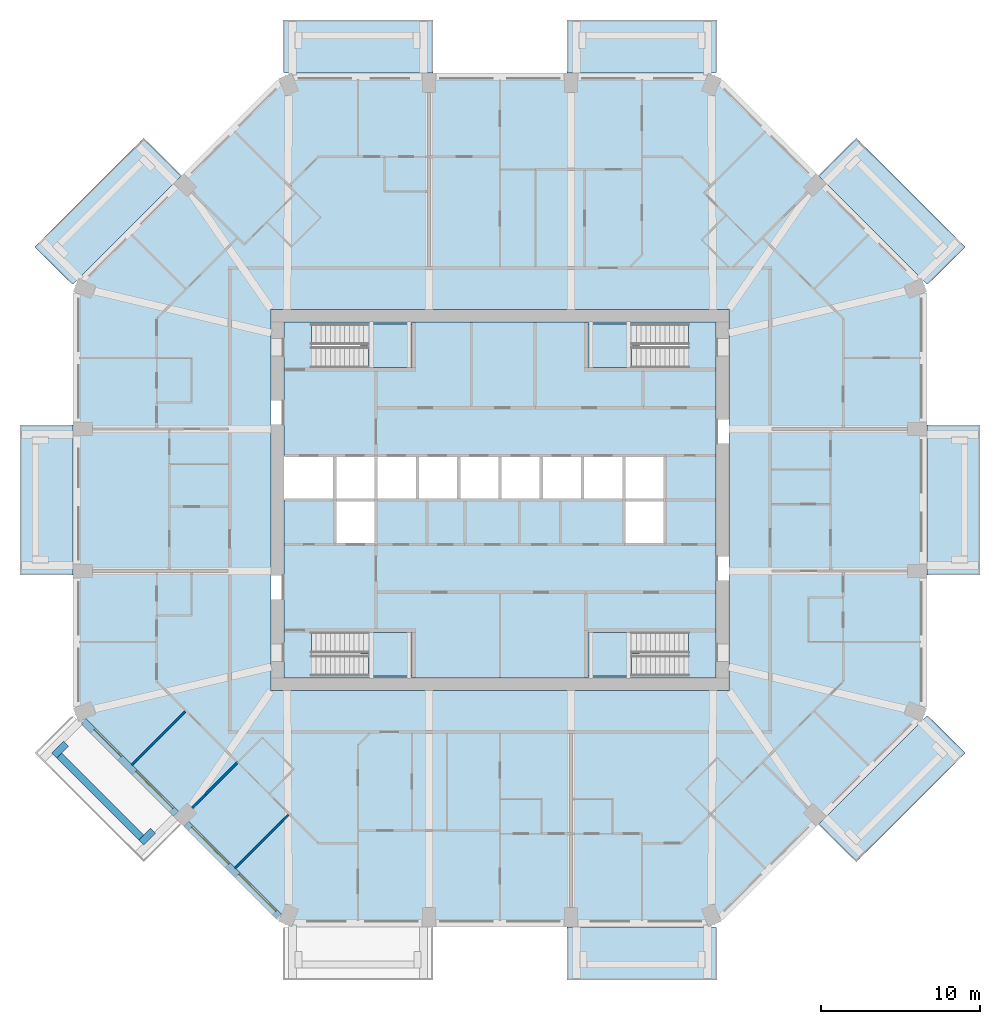
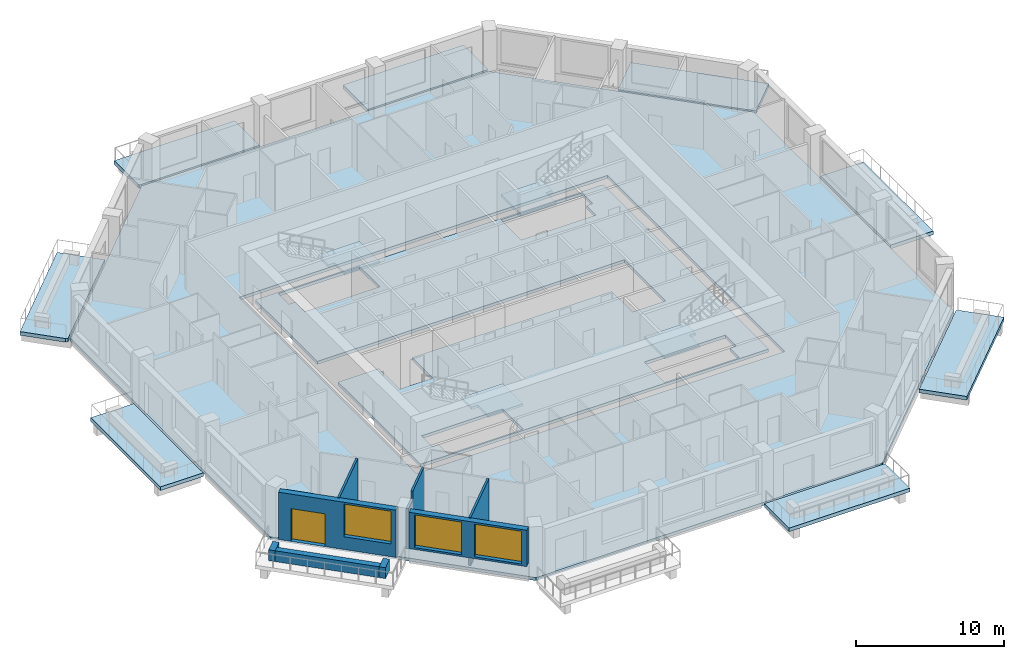
# One storey, part 2 of 13: 14 slabs, 9 walls, 3 windows, 1 door, 4 openings, 4 elements without a shape of their own.
"""IFC4 building model written with IfcOpenShell, lengths in metres."""

from ifc_helpers import new_model, si_unit, direction, frame, frame_2d, origin, place, context, subcontext, project, spatial, polyline, rectangle, outline, extrude, material, layer, layer_set, type_object, element, fill, aggregate, save


model = new_model("IFC4")

# Units and contexts
model_context = context("Model", 3, precision=1e-05, world=origin(), true_north=direction((0.0, 1.0)))
body_context = subcontext(model_context, "Body", "Model", "MODEL_VIEW")
ifc_project = project(units=[si_unit("LENGTHUNIT", "METRE"), si_unit("AREAUNIT", "SQUARE_METRE"), si_unit("VOLUMEUNIT", "CUBIC_METRE"), si_unit("PLANEANGLEUNIT", "RADIAN"), si_unit("MASSUNIT", "GRAM", prefix="KILO")], contexts=[model_context])

# Site, building, storey
site_placement = place(None, origin())
site = spatial("IfcSite", under=ifc_project, at=site_placement, CompositionType="ELEMENT")
building_placement = place(site_placement, origin())
building = spatial("IfcBuilding", under=site, at=building_placement, Name="Msitu Wima Residences", CompositionType="ELEMENT")
storey_placement = place(building_placement, frame((0.0, 0.0, 110.699951171875)))
storey = spatial("IfcBuildingStorey", under=building, at=storey_placement, Name="L25", CompositionType="ELEMENT", Elevation=110.699951171875)

# Slabs
ifc_material_1 = material(Name="Concrete C40/50", Category="concrete")
ifc_layer_1 = layer(ifc_material_1, 0.300048828125)
ifc_layer_set_1 = layer_set([ifc_layer_1], Name="Concrete C40/50")
slab_type_1 = type_object("IfcSlabType", Name="Balcony slab BS300", PredefinedType="FLOOR", material=ifc_layer_set_1)
slab_1_placement = place(storey_placement, frame((0.0, 0.0, -0.300048828125)))
element("IfcSlab", 1, at=slab_1_placement, inside=storey, type_object=slab_type_1, Name="Balcony E1 L25", PredefinedType="FLOOR", context=body_context, shape_type="SweptSolid", body=[
    extrude(outline(polyline([(26.85009765625, 4.0185546875), (26.85009765625, 4.0185546875), (26.85009765625, 4.71875), (30.199951171875, 4.71875), (30.199951171875, -4.71875), (26.85009765625, -4.71875), (26.85009765625, -4.0185546875), (26.85009765625, -4.0185546875), (26.85009765625, 4.0185546875)])), origin(), (0.0, 0.0, 1.0), 0.300048828125),
])
slab_2_placement = place(storey_placement, frame((0.0, 0.0, -0.300048828125)))
element("IfcSlab", 2, at=slab_2_placement, inside=storey, type_object=slab_type_1, Name="Balcony NE0 L25", PredefinedType="FLOOR", context=body_context, shape_type="SweptSolid", body=[
    extrude(outline(polyline([(22.4130859375, 22.766845703125), (29.263671875, 15.916015625), (27.003662109375, 13.656005859375), (26.85009765625, 13.59228515625), (20.04443359375, 20.39794921875), (22.4130859375, 22.766845703125)])), origin(), (0.0, 0.0, 1.0), 0.300048828125),
])
slab_3_placement = place(storey_placement, frame((0.0, 0.0, -0.300048828125)))
element("IfcSlab", 3, at=slab_3_placement, inside=storey, type_object=slab_type_1, Name="Balcony N0 L25", PredefinedType="FLOOR", context=body_context, shape_type="SweptSolid", body=[
    extrude(outline(polyline([(13.105224609375, 26.85009765625), (13.105224609375, 26.85009765625), (4.918701171875, 26.85009765625), (4.918701171875, 26.85009765625), (4.21875, 26.85009765625), (4.21875, 30.199951171875), (13.656005859375, 30.199951171875), (13.656005859375, 27.003662109375), (13.59228515625, 26.85009765625), (13.105224609375, 26.85009765625), (13.105224609375, 26.85009765625)])), origin(), (0.0, 0.0, 1.0), 0.300048828125),
])
slab_4_placement = place(storey_placement, frame((0.0, 0.0, -0.300048828125)))
element("IfcSlab", 4, at=slab_4_placement, inside=storey, type_object=slab_type_1, Name="Balcony N2 L25", PredefinedType="FLOOR", context=body_context, shape_type="SweptSolid", body=[
    extrude(outline(polyline([(-13.105224609375, 26.85009765625), (-13.105224609375, 26.85009765625), (-13.59228515625, 26.85009765625), (-13.656005859375, 27.003662109375), (-13.656005859375, 30.199951171875), (-4.21875, 30.199951171875), (-4.21875, 26.85009765625), (-4.918701171875, 26.85009765625), (-4.918701171875, 26.85009765625), (-13.105224609375, 26.85009765625), (-13.105224609375, 26.85009765625)])), origin(), (0.0, 0.0, 1.0), 0.300048828125),
])
slab_5_placement = place(storey_placement, frame((0.0, 0.0, -0.300048828125)))
element("IfcSlab", 5, at=slab_5_placement, inside=storey, type_object=slab_type_1, Name="Balcony NW1 L25", PredefinedType="FLOOR", context=body_context, shape_type="SweptSolid", body=[
    extrude(outline(polyline([(-29.263671875, 15.916015625), (-22.4130859375, 22.766845703125), (-20.04443359375, 20.39794921875), (-26.85009765625, 13.59228515625), (-27.003662109375, 13.656005859375), (-29.263671875, 15.916015625)])), origin(), (0.0, 0.0, 1.0), 0.300048828125),
])
slab_6_placement = place(storey_placement, frame((0.0, 0.0, -0.300048828125)))
element("IfcSlab", 6, at=slab_6_placement, inside=storey, type_object=slab_type_1, Name="Balcony W1 L25", PredefinedType="FLOOR", context=body_context, shape_type="SweptSolid", body=[
    extrude(outline(polyline([(-26.85009765625, -4.0185546875), (-26.85009765625, -4.0185546875), (-26.85009765625, -4.71875), (-30.199951171875, -4.71875), (-30.199951171875, 4.71875), (-26.85009765625, 4.71875), (-26.85009765625, 4.0185546875), (-26.85009765625, 4.0185546875), (-26.85009765625, -4.0185546875)])), origin(), (0.0, 0.0, 1.0), 0.300048828125),
])
slab_7_placement = place(storey_placement, frame((0.0, 0.0, -0.300048828125)))
element("IfcSlab", 7, at=slab_7_placement, inside=storey, type_object=slab_type_1, Name="Balcony S2 L25", PredefinedType="FLOOR", context=body_context, shape_type="SweptSolid", body=[
    extrude(outline(polyline([(13.105224609375, -26.85009765625), (13.105224609375, -26.85009765625), (13.59228515625, -26.85009765625), (13.656005859375, -27.003662109375), (13.656005859375, -30.199951171875), (4.21875, -30.199951171875), (4.21875, -26.85009765625), (4.918701171875, -26.85009765625), (4.918701171875, -26.85009765625), (13.105224609375, -26.85009765625), (13.105224609375, -26.85009765625)])), origin(), (0.0, 0.0, 1.0), 0.300048828125),
])
slab_8_placement = place(storey_placement, frame((0.0, 0.0, -0.300048828125)))
element("IfcSlab", 8, at=slab_8_placement, inside=storey, type_object=slab_type_1, Name="Balcony SE1 L25", PredefinedType="FLOOR", context=body_context, shape_type="SweptSolid", body=[
    extrude(outline(polyline([(29.263671875, -15.916015625), (22.4130859375, -22.766845703125), (20.04443359375, -20.39794921875), (26.85009765625, -13.59228515625), (27.003662109375, -13.656005859375), (29.263671875, -15.916015625)])), origin(), (0.0, 0.0, 1.0), 0.300048828125),
])
ifc_layer_2 = layer(ifc_material_1, 0.25)
ifc_layer_set_2 = layer_set([ifc_layer_2], Name="Concrete C40/50")
slab_type_2 = type_object("IfcSlabType", Name="Core floor CF250", PredefinedType="FLOOR", material=ifc_layer_set_2)
slab_9_placement = place(storey_placement, frame((0.0, 0.0, -0.25)))
element("IfcSlab", 9, at=slab_9_placement, inside=storey, type_object=slab_type_2, Name="Core floor", PredefinedType="FLOOR", context=body_context, shape_type="SweptSolid", body=[
    extrude(outline(polyline([(-13.60009765625, 11.199951171875), (-13.60009765625, 2.800048828125), (-10.39990234375, 2.800048828125), (-7.800048828125, 2.800048828125), (-5.199951171875, 2.800048828125), (-2.60009765625, 2.800048828125), (0.0, 2.800048828125), (2.60009765625, 2.800048828125), (5.199951171875, 2.800048828125), (7.800048828125, 2.800048828125), (10.39990234375, 2.800048828125), (10.39990234375, 0.0), (10.39990234375, -2.800048828125), (7.800048828125, -2.800048828125), (7.800048828125, 0.0), (5.199951171875, 0.0), (2.60009765625, 0.0), (0.0, 0.0), (-2.60009765625, 0.0), (-5.199951171875, 0.0), (-7.800048828125, 0.0), (-7.800048828125, -2.800048828125), (-10.39990234375, -2.800048828125), (-10.39990234375, 0.0), (-13.60009765625, 0.0), (-13.60009765625, -11.199951171875), (13.60009765625, -11.199951171875), (13.60009765625, 11.199951171875), (-13.60009765625, 11.199951171875)]), holes=[polyline([(-11.375, -11.074951171875), (-11.375, -9.77490234375), (-11.87451171875, -9.77490234375), (-11.87451171875, -8.324951171875), (-5.52490234375, -8.324951171875), (-5.52490234375, -11.074951171875), (-11.375, -11.074951171875)]), polyline([(-11.375, 9.625), (-11.87451171875, 9.625), (-11.87451171875, 11.074951171875), (-5.52490234375, 11.074951171875), (-5.52490234375, 8.324951171875), (-11.375, 8.324951171875), (-11.375, 9.625)]), polyline([(11.375, -9.77490234375), (11.375, -11.074951171875), (5.52490234375, -11.074951171875), (5.52490234375, -8.324951171875), (11.87451171875, -8.324951171875), (11.87451171875, -9.77490234375), (11.375, -9.77490234375)]), polyline([(11.375, 9.625), (11.375, 8.324951171875), (5.52490234375, 8.324951171875), (5.52490234375, 11.074951171875), (11.87451171875, 11.074951171875), (11.87451171875, 9.625), (11.375, 9.625)])]), origin(), (0.0, 0.0, 1.0), 0.25),
])
ifc_layer_3 = layer(ifc_material_1, 0.25)
ifc_layer_set_3 = layer_set([ifc_layer_3], Name="Concrete C40/50")
slab_type_3 = type_object("IfcSlabType", Name="PT flat slab 250 Concrete C40/50", PredefinedType="FLOOR", material=ifc_layer_set_3)
slab_10_placement = place(storey_placement, frame((0.0, 0.0, -0.25)))
element("IfcSlab", 10, at=slab_10_placement, inside=storey, type_object=slab_type_3, Name="Floor slab L25", PredefinedType="FLOOR", context=body_context, shape_type="SweptSolid", body=[
    extrude(outline(polyline([(26.699951171875, -13.5302734375), (13.5302734375, -26.699951171875), (-13.5302734375, -26.699951171875), (-26.699951171875, -13.5302734375), (-26.699951171875, 13.5302734375), (-13.5302734375, 26.699951171875), (13.5302734375, 26.699951171875), (26.699951171875, 13.5302734375), (26.699951171875, -13.5302734375)]), holes=[polyline([(-14.39990234375, -12.0), (14.39990234375, -12.0), (14.39990234375, 12.0), (-14.39990234375, 12.0), (-14.39990234375, -12.0)])]), origin(), (0.0, 0.0, 1.0), 0.25),
])

# Stair, slab
stair_type = type_object("IfcStairType", Name="Exit stair ES1615-130", PredefinedType="HALF_TURN_STAIR", material=ifc_material_1)
stair_1_placement = place(storey_placement, origin())
stair_1 = element("IfcStair", 11, at=stair_1_placement, inside=storey, type_object=stair_type, Name="Exit stair 1", PredefinedType="HALF_TURN_STAIR")
ifc_layer_4 = layer(ifc_material_1, 0.199951171875)
ifc_layer_set_4 = layer_set([ifc_layer_4], Name="Concrete C40/50")
slab_type_4 = type_object("IfcSlabType", Name="Stair landing SL200", PredefinedType="LANDING", material=ifc_layer_set_4)
slab_11_placement = place(storey_placement, frame((0.0, 0.0, 1.900146484375)))
slab_11 = element("IfcSlab", 12, at=slab_11_placement, type_object=slab_type_4, Name="S1 landing 1", PredefinedType="LANDING", context=body_context, shape_type="SweptSolid", body=[
    extrude(outline(polyline([(-5.52490234375, 8.324951171875), (-8.275390625, 8.324951171875), (-8.275390625, 9.699951171875), (-8.77490234375, 9.699951171875), (-8.77490234375, 11.074951171875), (-5.52490234375, 11.074951171875), (-5.52490234375, 8.324951171875)])), origin(), (0.0, 0.0, 1.0), 0.199951171875),
])
aggregate(stair_1, [slab_11])

stair_2_placement = place(storey_placement, origin())
stair_2 = element("IfcStair", 13, at=stair_2_placement, inside=storey, type_object=stair_type, Name="Exit stair 2", PredefinedType="HALF_TURN_STAIR")
slab_12_placement = place(storey_placement, frame((0.0, 0.0, 1.900146484375)))
slab_12 = element("IfcSlab", 14, at=slab_12_placement, type_object=slab_type_4, Name="S2 landing 1", PredefinedType="LANDING", context=body_context, shape_type="SweptSolid", body=[
    extrude(outline(polyline([(-5.52490234375, -11.074951171875), (-8.275390625, -11.074951171875), (-8.275390625, -9.699951171875), (-8.77490234375, -9.699951171875), (-8.77490234375, -8.324951171875), (-5.52490234375, -8.324951171875), (-5.52490234375, -11.074951171875)])), origin(), (0.0, 0.0, 1.0), 0.199951171875),
])
aggregate(stair_2, [slab_12])

stair_3_placement = place(storey_placement, origin())
stair_3 = element("IfcStair", 15, at=stair_3_placement, inside=storey, type_object=stair_type, Name="Exit stair 3", PredefinedType="HALF_TURN_STAIR")
slab_13_placement = place(storey_placement, frame((0.0, 0.0, 1.900146484375)))
slab_13 = element("IfcSlab", 16, at=slab_13_placement, type_object=slab_type_4, Name="S3 landing 1", PredefinedType="LANDING", context=body_context, shape_type="SweptSolid", body=[
    extrude(outline(polyline([(5.52490234375, 8.324951171875), (8.275390625, 8.324951171875), (8.275390625, 9.699951171875), (8.77490234375, 9.699951171875), (8.77490234375, 11.074951171875), (5.52490234375, 11.074951171875), (5.52490234375, 8.324951171875)])), origin(), (0.0, 0.0, 1.0), 0.199951171875),
])
aggregate(stair_3, [slab_13])

stair_4_placement = place(storey_placement, origin())
stair_4 = element("IfcStair", 17, at=stair_4_placement, inside=storey, type_object=stair_type, Name="Exit stair 4", PredefinedType="HALF_TURN_STAIR")
slab_14_placement = place(storey_placement, frame((0.0, 0.0, 1.900146484375)))
slab_14 = element("IfcSlab", 18, at=slab_14_placement, type_object=slab_type_4, Name="S4 landing 1", PredefinedType="LANDING", context=body_context, shape_type="SweptSolid", body=[
    extrude(outline(polyline([(5.52490234375, -11.074951171875), (8.275390625, -11.074951171875), (8.275390625, -9.699951171875), (8.77490234375, -9.699951171875), (8.77490234375, -8.324951171875), (5.52490234375, -8.324951171875), (5.52490234375, -11.074951171875)])), origin(), (0.0, 0.0, 1.0), 0.199951171875),
])
aggregate(stair_4, [slab_14])

# Walls
ifc_material_2 = material(Name="Facing brick")
ifc_layer_5 = layer(ifc_material_2, 0.06494140625, Name="Facing brick")
ifc_layer_6 = layer(ifc_material_1, 0.156005859375, Name="Concrete C40/50")
ifc_material_3 = material(Name="Waterproofing membrane")
ifc_layer_7 = layer(ifc_material_3, 0.00390625, Name="Waterproofing membrane")
ifc_material_4 = material(Name="Planting soil and planting")
ifc_layer_8 = layer(ifc_material_4, 0.22509765625, Name="Planting soil and planting")
ifc_layer_set_5 = layer_set([ifc_layer_5, ifc_layer_6, ifc_layer_7, ifc_layer_8], Name="Concrete C40/50")
wall_type_1 = type_object("IfcWallType", Name="Balcony planter PLANTER PL450", PredefinedType="USERDEFINED", material=ifc_layer_set_5)
wall_1_placement = place(storey_placement, frame((-27.725830078125, -16.0751953125, 0.0), z_axis=(0.0, 0.0, 1.0), x_axis=(0.707106781187, -0.707106781187, 0.0)))
element("IfcWall", 19, at=wall_1_placement, inside=storey, type_object=wall_type_1, Name="Balcony planter SW0 L25", ObjectType="PLANTER", PredefinedType="USERDEFINED", context=body_context, shape_type="SweptSolid", body=[
    extrude(rectangle(XDim=7.288330078125, YDim=0.449951171875, at=frame_2d((3.64404296875, 0.0))), origin(), (0.0, 0.0, 1.0), 0.900146484375),
])
for number, where, z_axis, x_axis, name in (
    (20, (-27.301513671875, -15.332763671875, 0.0), (0.0, 0.0, 1.0), (-0.707106781187, -0.707106781187, 0.0), "Balcony planter SW0 L25"),
    (21, (-21.829833984375, -20.804443359375, 0.0), (0.0, 0.0, 1.0), (-0.707106781187, -0.707106781187, 0.0), "Balcony planter SW0 L25"),
):
    element("IfcWall", number, at=place(storey_placement, frame(where, z_axis=z_axis, x_axis=x_axis)), inside=storey, type_object=wall_type_1, Name=name, ObjectType="PLANTER", PredefinedType="USERDEFINED", context=body_context, shape_type="SweptSolid", body=[
        extrude(rectangle(XDim=1.050048828125, YDim=0.449951171875, at=frame_2d((0.52490234375, 0.0))), origin(), (0.0, 0.0, 1.0), 0.900146484375),
    ])

# Wall, openings, door, window
ifc_material_5 = material(Name="Brick (red buff mix)", Category="masonry")
ifc_layer_9 = layer(ifc_material_5, 0.449951171875)
ifc_layer_set_6 = layer_set([ifc_layer_9], Name="Brick (red buff mix)")
wall_type_2 = type_object("IfcWallType", Name="Brick infill wall BW450", PredefinedType="SOLIDWALL", material=ifc_layer_set_6)
wall_2_placement = place(storey_placement, frame((-26.214599609375, -13.909423828125, 0.0), z_axis=(0.0, 0.0, 1.0), x_axis=(0.707106781187, -0.707106781187, 0.0)))
wall_2 = element("IfcWall", 22, at=wall_2_placement, inside=storey, type_object=wall_type_2, Name="Brick infill wall L25 SW0", PredefinedType="SOLIDWALL", context=body_context, shape_type="SweptSolid", body=[
    extrude(rectangle(XDim=8.251220703125, YDim=0.449951171875, at=frame_2d((4.12548828125, 0.0))), origin(), (0.0, 0.0, 1.0), 3.900146484375),
])
opening_1_placement = place(wall_2_placement, frame((0.86279296875, 0.0, 0.0)))
opening_1 = element("IfcOpeningElement", 23, at=opening_1_placement, cuts=wall_2, Name="Opening D25-26.009", PredefinedType="OPENING", context=body_context, shape_type="SweptSolid", body=[
    extrude(rectangle(XDim=2.39990234375, YDim=2.699951171875, at=frame_2d((1.199951171875, 1.35009765625))), frame((0.0, 0.23486328125, 0.0), z_axis=(0.0, -1.0, 0.0), x_axis=(1.0, 0.0, 0.0)), (0.0, 0.0, 1.0), 0.469970703125),
])
opening_2_placement = place(wall_2_placement, frame((4.57568359375, 0.0, 1.050048828125)))
opening_2 = element("IfcOpeningElement", 24, at=opening_2_placement, cuts=wall_2, Name="Opening W25-26.023", PredefinedType="OPENING", context=body_context, shape_type="SweptSolid", body=[
    extrude(rectangle(XDim=3.300048828125, YDim=2.699951171875, at=frame_2d((1.64990234375, 1.35009765625))), frame((0.0, 0.23486328125, 0.0), z_axis=(0.0, -1.0, 0.0), x_axis=(1.0, 0.0, 0.0)), (0.0, 0.0, 1.0), 0.469970703125),
])
ifc_material_6 = material(Name="Anodised aluminium, bronze finish, clear low-emissivity double glazing", Category="aluminium")
door_type = type_object("IfcDoorType", Name="Balcony door D2400x2700", OperationType="SLIDING_TO_LEFT", PredefinedType="DOOR", material=ifc_material_6)
door_placement = place(opening_1_placement, origin())
door = element("IfcDoor", 25, at=door_placement, inside=storey, type_object=door_type, Name="Balcony door L25 SW0", OperationType="SINGLE_SWING_LEFT", OverallHeight=2.699951171875, OverallWidth=2.39990234375, PredefinedType="DOOR", context=body_context, shape_type="SweptSolid", body=[
    extrude(rectangle(XDim=2.39990234375, YDim=2.699951171875, at=frame_2d((1.199951171875, 1.35009765625))), frame((0.0, 0.1298828125, 0.0), z_axis=(0.0, -1.0, 0.0), x_axis=(1.0, 0.0, 0.0)), (0.0, 0.0, 1.0), 0.050048828125),
])
fill(opening_1, door)
window_type = type_object("IfcWindowType", Name="Window W3300x2700", PartitioningType="DOUBLE_PANEL_VERTICAL", PredefinedType="WINDOW", material=ifc_material_6)
window_1_placement = place(opening_2_placement, origin())
window_1 = element("IfcWindow", 26, at=window_1_placement, inside=storey, type_object=window_type, Name="Window L25 SW0.2", OverallHeight=2.699951171875, OverallWidth=3.300048828125, PartitioningType="SINGLE_PANEL", PredefinedType="WINDOW", context=body_context, shape_type="SweptSolid", body=[
    extrude(rectangle(XDim=3.300048828125, YDim=2.699951171875, at=frame_2d((1.64990234375, 1.35009765625))), frame((0.0, 0.135009765625, 0.0), z_axis=(0.0, -1.0, 0.0), x_axis=(1.0, 0.0, 0.0)), (0.0, 0.0, 1.0), 0.06005859375),
])
fill(opening_2, window_1)

# Wall, openings, windows
wall_3_placement = place(storey_placement, frame((-19.743896484375, -20.380126953125, 0.900146484375), z_axis=(0.0, 0.0, 1.0), x_axis=(0.707106781187, -0.707106781187, 0.0)))
wall_3 = element("IfcWall", 27, at=wall_3_placement, inside=storey, type_object=wall_type_2, Name="Brick infill wall L25 SW1", PredefinedType="SOLIDWALL", context=body_context, shape_type="SweptSolid", body=[
    extrude(rectangle(XDim=8.251220703125, YDim=0.449951171875, at=frame_2d((4.12548828125, 0.0))), origin(), (0.0, 0.0, 1.0), 3.0),
])
opening_3_placement = place(wall_3_placement, frame((0.37548828125, 0.0, 0.14990234375)))
opening_3 = element("IfcOpeningElement", 28, at=opening_3_placement, cuts=wall_3, Name="Opening W25-26.024", PredefinedType="OPENING", context=body_context, shape_type="SweptSolid", body=[
    extrude(rectangle(XDim=3.300048828125, YDim=2.699951171875, at=frame_2d((1.64990234375, 1.35009765625))), frame((0.0, 0.23486328125, 0.0), z_axis=(0.0, -1.0, 0.0), x_axis=(1.0, 0.0, 0.0)), (0.0, 0.0, 1.0), 0.469970703125),
])
opening_4_placement = place(wall_3_placement, frame((4.57568359375, 0.0, 0.14990234375)))
opening_4 = element("IfcOpeningElement", 29, at=opening_4_placement, cuts=wall_3, Name="Opening W25-26.025", PredefinedType="OPENING", context=body_context, shape_type="SweptSolid", body=[
    extrude(rectangle(XDim=3.300048828125, YDim=2.699951171875, at=frame_2d((1.64990234375, 1.35009765625))), frame((0.0, 0.23486328125, 0.0), z_axis=(0.0, -1.0, 0.0), x_axis=(1.0, 0.0, 0.0)), (0.0, 0.0, 1.0), 0.469970703125),
])
window_2_placement = place(opening_3_placement, origin())
window_2 = element("IfcWindow", 30, at=window_2_placement, inside=storey, type_object=window_type, Name="Window L25 SW1.1", OverallHeight=2.699951171875, OverallWidth=3.300048828125, PartitioningType="SINGLE_PANEL", PredefinedType="WINDOW", context=body_context, shape_type="SweptSolid", body=[
    extrude(rectangle(XDim=3.300048828125, YDim=2.699951171875, at=frame_2d((1.64990234375, 1.35009765625))), frame((0.0, 0.135009765625, 0.0), z_axis=(0.0, -1.0, 0.0), x_axis=(1.0, 0.0, 0.0)), (0.0, 0.0, 1.0), 0.06005859375),
])
fill(opening_3, window_2)
window_3_placement = place(opening_4_placement, origin())
window_3 = element("IfcWindow", 31, at=window_3_placement, inside=storey, type_object=window_type, Name="Window L25 SW1.2", OverallHeight=2.699951171875, OverallWidth=3.300048828125, PartitioningType="SINGLE_PANEL", PredefinedType="WINDOW", context=body_context, shape_type="SweptSolid", body=[
    extrude(rectangle(XDim=3.300048828125, YDim=2.699951171875, at=frame_2d((1.64990234375, 1.35009765625))), frame((0.0, 0.135009765625, 0.0), z_axis=(0.0, -1.0, 0.0), x_axis=(1.0, 0.0, 0.0)), (0.0, 0.0, 1.0), 0.06005859375),
])
fill(opening_4, window_3)

# Walls
ifc_material_7 = material(Name="Plaster")
ifc_layer_10 = layer(ifc_material_7, 0.011962890625, Name="Plaster")
ifc_material_8 = material(Name="Concrete blockwork", Category="masonry")
ifc_layer_11 = layer(ifc_material_8, 0.1259765625, Name="Concrete blockwork")
ifc_layer_12 = layer(ifc_material_7, 0.011962890625, Name="Plaster")
ifc_layer_set_7 = layer_set([ifc_layer_10, ifc_layer_11, ifc_layer_12], Name="Concrete blockwork")
wall_type_3 = type_object("IfcWallType", Name="Partition PW150", PredefinedType="PARTITIONING", material=ifc_layer_set_7)
wall_4_placement = place(storey_placement, frame((-23.1904296875, -16.693359375, 0.0), z_axis=(0.0, 0.0, 1.0), x_axis=(0.707106781187, 0.707106781187, 0.0)))
element("IfcWall", 32, at=wall_4_placement, inside=storey, type_object=wall_type_3, Name="Partition", PredefinedType="PARTITIONING", context=body_context, shape_type="SweptSolid", body=[
    extrude(rectangle(XDim=4.7802734375, YDim=0.14990234375, at=frame_2d((2.39013671875, 0.0))), origin(), (0.0, 0.0, 1.0), 3.949951171875),
])
wall_5_placement = place(storey_placement, frame((-19.37255859375, -19.37255859375, 0.0), z_axis=(0.0, 0.0, 1.0), x_axis=(0.707106781187, 0.707106781187, 0.0)))
element("IfcWall", 33, at=wall_5_placement, inside=storey, type_object=wall_type_3, Name="Partition", PredefinedType="PARTITIONING", context=body_context, shape_type="SweptSolid", body=[
    extrude(rectangle(XDim=1.209228515625, YDim=0.14990234375, at=frame_2d((0.6044921875, 0.0))), origin(), (0.0, 0.0, 1.0), 3.300048828125),
])
wall_6_placement = place(storey_placement, frame((-18.517578125, -18.517578125, 0.0), z_axis=(0.0, 0.0, 1.0), x_axis=(0.707106781187, 0.707106781187, 0.0)))
element("IfcWall", 34, at=wall_6_placement, inside=storey, type_object=wall_type_3, Name="Partition", PredefinedType="PARTITIONING", context=body_context, shape_type="SweptSolid", body=[
    extrude(rectangle(XDim=2.86083984375, YDim=0.14990234375, at=frame_2d((1.430419921875, 0.0))), origin(), (0.0, 0.0, 1.0), 3.949951171875),
])
wall_7_placement = place(storey_placement, frame((-16.693359375, -23.1904296875, 0.0), z_axis=(0.0, 0.0, 1.0), x_axis=(0.707106781187, 0.707106781187, 0.0)))
element("IfcWall", 35, at=wall_7_placement, inside=storey, type_object=wall_type_3, Name="Partition", PredefinedType="PARTITIONING", context=body_context, shape_type="SweptSolid", body=[
    extrude(rectangle(XDim=4.7802734375, YDim=0.14990234375, at=frame_2d((2.39013671875, 0.0))), origin(), (0.0, 0.0, 1.0), 3.949951171875),
])

save(model, "model.ifc")
